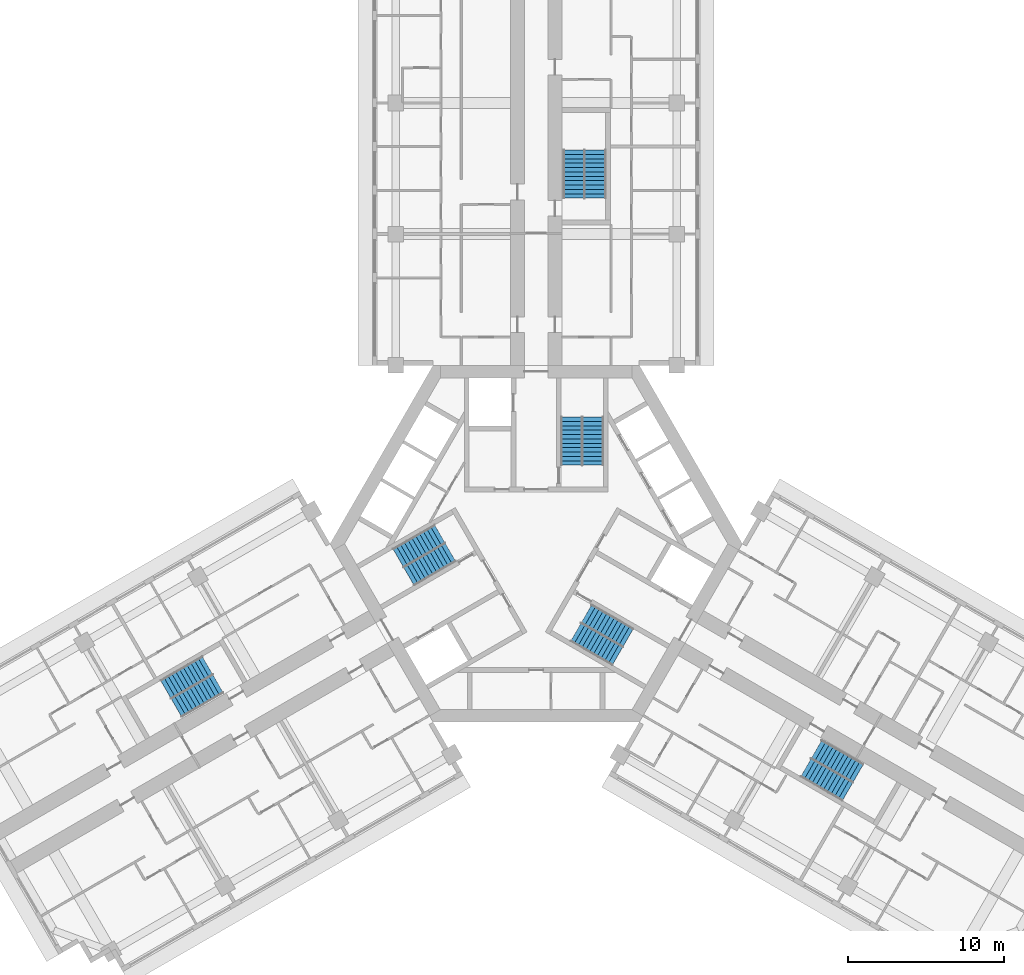
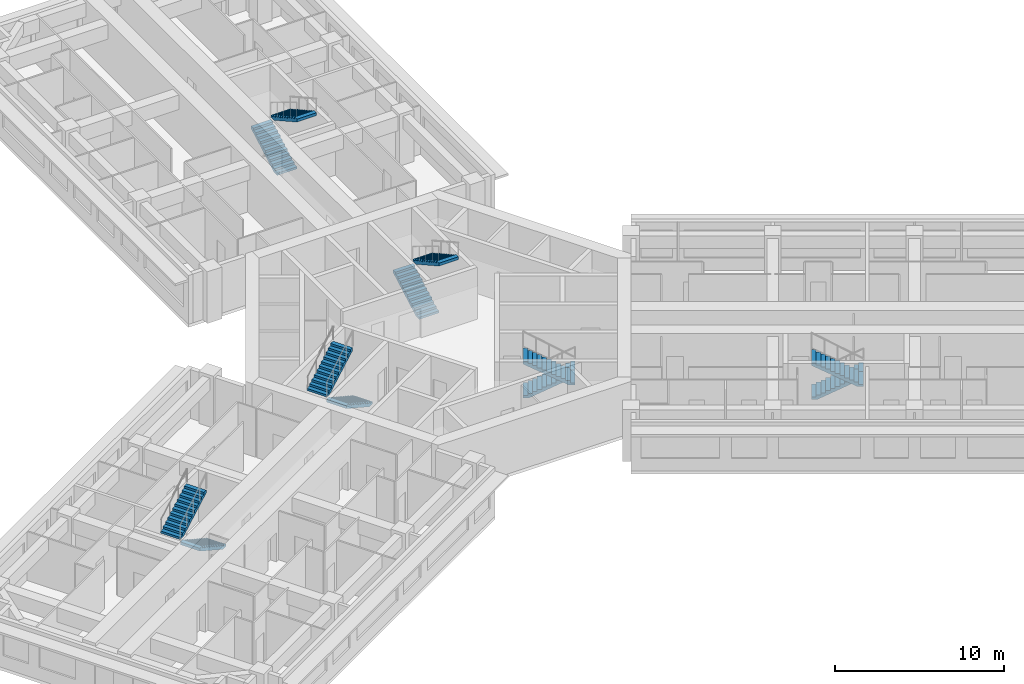
# One storey, part 11 of 12: 12 stair flights, 6 elements without a shape of their own.
"""IFC4 building model written with IfcOpenShell, lengths in metres."""

from ifc_helpers import new_model, si_unit, direction, frame, origin, place, context, subcontext, project, spatial, polyline, outline, extrude, material, type_object, element, aggregate, save


model = new_model("IFC4")

# Units and contexts
model_context = context("Model", 3, precision=1e-05, world=origin(), true_north=direction((0.0, 1.0)))
body_context = subcontext(model_context, "Body", "Model", "MODEL_VIEW")
ifc_project = project(units=[si_unit("LENGTHUNIT", "METRE"), si_unit("AREAUNIT", "SQUARE_METRE"), si_unit("VOLUMEUNIT", "CUBIC_METRE"), si_unit("PLANEANGLEUNIT", "RADIAN"), si_unit("MASSUNIT", "GRAM", prefix="KILO")], contexts=[model_context])

# Site, building, storey
site_placement = place(None, origin())
site = spatial("IfcSite", under=ifc_project, at=site_placement, CompositionType="ELEMENT")
building_placement = place(site_placement, origin())
building = spatial("IfcBuilding", under=site, at=building_placement, Name="Impinga Residences", CompositionType="ELEMENT")
storey_placement = place(building_placement, frame((0.0, 0.0, 173.5)))
storey = spatial("IfcBuildingStorey", under=building, at=storey_placement, Name="L43", CompositionType="ELEMENT", Elevation=173.5)

# Stair, stair flights
ifc_material = material(Name="Concrete C40/50", Category="concrete")
stair_type_1 = type_object("IfcStairType", Name="STR core stair 3750 storey, 24 risers", PredefinedType="HALF_TURN_STAIR", material=ifc_material)
stair_1_placement = place(storey_placement, origin())
stair_1 = element("IfcStair", 1, at=stair_1_placement, inside=storey, type_object=stair_type_1, Name="Stair ST1 L43", PredefinedType="HALF_TURN_STAIR")
stair_flight_type = type_object("IfcStairFlightType", Name="SF 12 risers of 156", PredefinedType="STRAIGHT", material=ifc_material)
stair_flight_1_placement = place(storey_placement, frame((2.27490234375, 5.030029296875, 0.0), z_axis=(0.0, 0.0, 1.0), x_axis=(0.0, 1.0, 0.0)))
stair_flight_1 = element("IfcStairFlight", 2, at=stair_flight_1_placement, type_object=stair_flight_type, Name="ST1 flight 1", NumberOfRisers=12, NumberOfTreads=11, PredefinedType="STRAIGHT", RiserHeight=0.15625, TreadLength=0.28, context=body_context, shape_type="SweptSolid", body=[
    extrude(outline(polyline([(0.0, 0.0), (0.0, 0.15625), (0.280029296875, 0.15625), (0.280029296875, 0.3125), (0.56005859375, 0.3125), (0.56005859375, 0.46875), (0.840087890625, 0.46875), (0.840087890625, 0.625), (1.1201171875, 0.625), (1.1201171875, 0.78125), (1.39990234375, 0.78125), (1.39990234375, 0.9375), (1.679931640625, 0.9375), (1.679931640625, 1.09375), (1.9599609375, 1.09375), (1.9599609375, 1.25), (2.239990234375, 1.25), (2.239990234375, 1.40625), (2.52001953125, 1.40625), (2.52001953125, 1.5625), (2.800048828125, 1.5625), (2.800048828125, 1.71875), (3.080078125, 1.71875), (3.080078125, 1.875), (3.080078125, 1.5126953125), (0.369140625, 0.0), (0.0, 0.0)])), frame((0.0, 0.675048828125, 0.0), z_axis=(0.0, -1.0, 0.0), x_axis=(1.0, 0.0, 0.0)), (0.0, 0.0, 1.0), 1.35009765625),
])
stair_flight_2_placement = place(storey_placement, frame((3.625, 8.110107421875, 1.875), z_axis=(0.0, 0.0, 1.0), x_axis=(0.0, -1.0, 0.0)))
stair_flight_2 = element("IfcStairFlight", 3, at=stair_flight_2_placement, type_object=stair_flight_type, Name="ST1 flight 2", NumberOfRisers=12, NumberOfTreads=11, PredefinedType="STRAIGHT", RiserHeight=0.15625, TreadLength=0.28, context=body_context, shape_type="SweptSolid", body=[
    extrude(outline(polyline([(0.0, 0.0), (0.0, 0.15625), (0.280029296875, 0.15625), (0.280029296875, 0.3125), (0.56005859375, 0.3125), (0.56005859375, 0.46875), (0.840087890625, 0.46875), (0.840087890625, 0.625), (1.1201171875, 0.625), (1.1201171875, 0.78125), (1.39990234375, 0.78125), (1.39990234375, 0.9375), (1.679931640625, 0.9375), (1.679931640625, 1.09375), (1.9599609375, 1.09375), (1.9599609375, 1.25), (2.239990234375, 1.25), (2.239990234375, 1.40625), (2.52001953125, 1.40625), (2.52001953125, 1.5625), (2.800048828125, 1.5625), (2.800048828125, 1.71875), (3.080078125, 1.71875), (3.080078125, 1.875), (3.080078125, 1.5126953125), (0.369140625, 0.0), (0.0, 0.0)])), frame((0.0, 0.675048828125, 0.0), z_axis=(0.0, -1.0, 0.0), x_axis=(1.0, 0.0, 0.0)), (0.0, 0.0, 1.0), 1.35009765625),
])
aggregate(stair_1, [stair_flight_1, stair_flight_2])

stair_2_placement = place(storey_placement, origin())
stair_2 = element("IfcStair", 4, at=stair_2_placement, inside=storey, type_object=stair_type_1, Name="Stair ST2 L43", PredefinedType="HALF_TURN_STAIR")
stair_flight_3_placement = place(storey_placement, frame((-5.49365234375, -0.544677734375, 0.0), z_axis=(0.0, 0.0, 1.0), x_axis=(-0.866025403784, -0.5, 0.0)))
stair_flight_3 = element("IfcStairFlight", 5, at=stair_flight_3_placement, type_object=stair_flight_type, Name="ST2 flight 1", NumberOfRisers=12, NumberOfTreads=11, PredefinedType="STRAIGHT", RiserHeight=0.15625, TreadLength=0.28, context=body_context, shape_type="SweptSolid", body=[
    extrude(outline(polyline([(0.0, 0.0), (0.0, 0.15625), (0.280029296875, 0.15625), (0.280029296875, 0.3125), (0.56005859375, 0.3125), (0.56005859375, 0.46875), (0.840087890625, 0.46875), (0.840087890625, 0.625), (1.1201171875, 0.625), (1.1201171875, 0.78125), (1.39990234375, 0.78125), (1.39990234375, 0.9375), (1.679931640625, 0.9375), (1.679931640625, 1.09375), (1.9599609375, 1.09375), (1.9599609375, 1.25), (2.239990234375, 1.25), (2.239990234375, 1.40625), (2.52001953125, 1.40625), (2.52001953125, 1.5625), (2.800048828125, 1.5625), (2.800048828125, 1.71875), (3.080078125, 1.71875), (3.080078125, 1.875), (3.080078125, 1.5126953125), (0.369140625, 0.0), (0.0, 0.0)])), frame((0.0, 0.675048828125, 0.0), z_axis=(0.0, -1.0, 0.0), x_axis=(1.0, 0.0, 0.0)), (0.0, 0.0, 1.0), 1.35009765625),
])
stair_flight_4_placement = place(storey_placement, frame((-8.8359375, -0.915771484375, 1.875), z_axis=(0.0, 0.0, 1.0), x_axis=(0.866025403784, 0.5, 0.0)))
stair_flight_4 = element("IfcStairFlight", 6, at=stair_flight_4_placement, type_object=stair_flight_type, Name="ST2 flight 2", NumberOfRisers=12, NumberOfTreads=11, PredefinedType="STRAIGHT", RiserHeight=0.15625, TreadLength=0.28, context=body_context, shape_type="SweptSolid", body=[
    extrude(outline(polyline([(0.0, 0.0), (0.0, 0.15625), (0.280029296875, 0.15625), (0.280029296875, 0.3125), (0.56005859375, 0.3125), (0.56005859375, 0.46875), (0.840087890625, 0.46875), (0.840087890625, 0.625), (1.1201171875, 0.625), (1.1201171875, 0.78125), (1.39990234375, 0.78125), (1.39990234375, 0.9375), (1.679931640625, 0.9375), (1.679931640625, 1.09375), (1.9599609375, 1.09375), (1.9599609375, 1.25), (2.239990234375, 1.25), (2.239990234375, 1.40625), (2.52001953125, 1.40625), (2.52001953125, 1.5625), (2.800048828125, 1.5625), (2.800048828125, 1.71875), (3.080078125, 1.71875), (3.080078125, 1.875), (3.080078125, 1.5126953125), (0.369140625, 0.0), (0.0, 0.0)])), frame((0.0, 0.675048828125, 0.0), z_axis=(0.0, -1.0, 0.0), x_axis=(1.0, 0.0, 0.0)), (0.0, 0.0, 1.0), 1.35009765625),
])
aggregate(stair_2, [stair_flight_3, stair_flight_4])

stair_3_placement = place(storey_placement, origin())
stair_3 = element("IfcStair", 7, at=stair_3_placement, inside=storey, type_object=stair_type_1, Name="Stair ST3 L43", PredefinedType="HALF_TURN_STAIR")
stair_flight_5_placement = place(storey_placement, frame((3.218505859375, -4.485107421875, 0.0), z_axis=(0.0, 0.0, 1.0), x_axis=(0.866025403784, -0.5, 0.0)))
stair_flight_5 = element("IfcStairFlight", 8, at=stair_flight_5_placement, type_object=stair_flight_type, Name="ST3 flight 1", NumberOfRisers=12, NumberOfTreads=11, PredefinedType="STRAIGHT", RiserHeight=0.15625, TreadLength=0.28, context=body_context, shape_type="SweptSolid", body=[
    extrude(outline(polyline([(0.0, 0.0), (0.0, 0.15625), (0.280029296875, 0.15625), (0.280029296875, 0.3125), (0.56005859375, 0.3125), (0.56005859375, 0.46875), (0.840087890625, 0.46875), (0.840087890625, 0.625), (1.1201171875, 0.625), (1.1201171875, 0.78125), (1.39990234375, 0.78125), (1.39990234375, 0.9375), (1.679931640625, 0.9375), (1.679931640625, 1.09375), (1.9599609375, 1.09375), (1.9599609375, 1.25), (2.239990234375, 1.25), (2.239990234375, 1.40625), (2.52001953125, 1.40625), (2.52001953125, 1.5625), (2.800048828125, 1.5625), (2.800048828125, 1.71875), (3.080078125, 1.71875), (3.080078125, 1.875), (3.080078125, 1.5126953125), (0.369140625, 0.0), (0.0, 0.0)])), frame((0.0, 0.675048828125, 0.0), z_axis=(0.0, -1.0, 0.0), x_axis=(1.0, 0.0, 0.0)), (0.0, 0.0, 1.0), 1.35009765625),
])
stair_flight_6_placement = place(storey_placement, frame((5.2109375, -7.1943359375, 1.875), z_axis=(0.0, 0.0, 1.0), x_axis=(-0.866025403784, 0.5, 0.0)))
stair_flight_6 = element("IfcStairFlight", 9, at=stair_flight_6_placement, type_object=stair_flight_type, Name="ST3 flight 2", NumberOfRisers=12, NumberOfTreads=11, PredefinedType="STRAIGHT", RiserHeight=0.15625, TreadLength=0.28, context=body_context, shape_type="SweptSolid", body=[
    extrude(outline(polyline([(0.0, 0.0), (0.0, 0.15625), (0.280029296875, 0.15625), (0.280029296875, 0.3125), (0.56005859375, 0.3125), (0.56005859375, 0.46875), (0.840087890625, 0.46875), (0.840087890625, 0.625), (1.1201171875, 0.625), (1.1201171875, 0.78125), (1.39990234375, 0.78125), (1.39990234375, 0.9375), (1.679931640625, 0.9375), (1.679931640625, 1.09375), (1.9599609375, 1.09375), (1.9599609375, 1.25), (2.239990234375, 1.25), (2.239990234375, 1.40625), (2.52001953125, 1.40625), (2.52001953125, 1.5625), (2.800048828125, 1.5625), (2.800048828125, 1.71875), (3.080078125, 1.71875), (3.080078125, 1.875), (3.080078125, 1.5126953125), (0.369140625, 0.0), (0.0, 0.0)])), frame((0.0, 0.675048828125, 0.0), z_axis=(0.0, -1.0, 0.0), x_axis=(1.0, 0.0, 0.0)), (0.0, 0.0, 1.0), 1.35009765625),
])
aggregate(stair_3, [stair_flight_5, stair_flight_6])

stair_type_2 = type_object("IfcStairType", Name="STR wing stair 3750 storey, 24 risers", PredefinedType="HALF_TURN_STAIR", material=ifc_material)
stair_4_placement = place(storey_placement, origin())
stair_4 = element("IfcStair", 10, at=stair_4_placement, inside=storey, type_object=stair_type_2, Name="Stair WS1 L43", PredefinedType="HALF_TURN_STAIR")
stair_flight_7_placement = place(storey_placement, frame((2.425048828125, 22.131591796875, 0.0), z_axis=(0.0, 0.0, 1.0), x_axis=(0.0, 1.0, 0.0)))
stair_flight_7 = element("IfcStairFlight", 11, at=stair_flight_7_placement, type_object=stair_flight_type, Name="WS1 flight 1", NumberOfRisers=12, NumberOfTreads=11, PredefinedType="STRAIGHT", RiserHeight=0.15625, TreadLength=0.28, context=body_context, shape_type="SweptSolid", body=[
    extrude(outline(polyline([(0.0, 0.0), (0.0, 0.15625), (0.280029296875, 0.15625), (0.280029296875, 0.3125), (0.56005859375, 0.3125), (0.56005859375, 0.46875), (0.840087890625, 0.46875), (0.840087890625, 0.625), (1.1201171875, 0.625), (1.1201171875, 0.78125), (1.39990234375, 0.78125), (1.39990234375, 0.9375), (1.679931640625, 0.9375), (1.679931640625, 1.09375), (1.9599609375, 1.09375), (1.9599609375, 1.25), (2.239990234375, 1.25), (2.239990234375, 1.40625), (2.52001953125, 1.40625), (2.52001953125, 1.5625), (2.800048828125, 1.5625), (2.800048828125, 1.71875), (3.080078125, 1.71875), (3.080078125, 1.875), (3.080078125, 1.5126953125), (0.369140625, 0.0), (0.0, 0.0)])), frame((0.0, 0.675048828125, 0.0), z_axis=(0.0, -1.0, 0.0), x_axis=(1.0, 0.0, 0.0)), (0.0, 0.0, 1.0), 1.35009765625),
])
stair_flight_8_placement = place(storey_placement, frame((3.77490234375, 25.21142578125, 1.875), z_axis=(0.0, 0.0, 1.0), x_axis=(0.0, -1.0, 0.0)))
stair_flight_8 = element("IfcStairFlight", 12, at=stair_flight_8_placement, type_object=stair_flight_type, Name="WS1 flight 2", NumberOfRisers=12, NumberOfTreads=11, PredefinedType="STRAIGHT", RiserHeight=0.15625, TreadLength=0.28, context=body_context, shape_type="SweptSolid", body=[
    extrude(outline(polyline([(0.0, 0.0), (0.0, 0.15625), (0.280029296875, 0.15625), (0.280029296875, 0.3125), (0.56005859375, 0.3125), (0.56005859375, 0.46875), (0.840087890625, 0.46875), (0.840087890625, 0.625), (1.1201171875, 0.625), (1.1201171875, 0.78125), (1.39990234375, 0.78125), (1.39990234375, 0.9375), (1.679931640625, 0.9375), (1.679931640625, 1.09375), (1.9599609375, 1.09375), (1.9599609375, 1.25), (2.239990234375, 1.25), (2.239990234375, 1.40625), (2.52001953125, 1.40625), (2.52001953125, 1.5625), (2.800048828125, 1.5625), (2.800048828125, 1.71875), (3.080078125, 1.71875), (3.080078125, 1.875), (3.080078125, 1.5126953125), (0.369140625, 0.0), (0.0, 0.0)])), frame((0.0, 0.675048828125, 0.0), z_axis=(0.0, -1.0, 0.0), x_axis=(1.0, 0.0, 0.0)), (0.0, 0.0, 1.0), 1.35009765625),
])
aggregate(stair_4, [stair_flight_7, stair_flight_8])

stair_5_placement = place(storey_placement, origin())
stair_5 = element("IfcStair", 13, at=stair_5_placement, inside=storey, type_object=stair_type_2, Name="Stair WS2 L43", PredefinedType="HALF_TURN_STAIR")
stair_flight_9_placement = place(storey_placement, frame((-20.37890625, -8.965576171875, 0.0), z_axis=(0.0, 0.0, 1.0), x_axis=(-0.866025403784, -0.5, 0.0)))
stair_flight_9 = element("IfcStairFlight", 14, at=stair_flight_9_placement, type_object=stair_flight_type, Name="WS2 flight 1", NumberOfRisers=12, NumberOfTreads=11, PredefinedType="STRAIGHT", RiserHeight=0.15625, TreadLength=0.28, context=body_context, shape_type="SweptSolid", body=[
    extrude(outline(polyline([(0.0, 0.0), (0.0, 0.15625), (0.280029296875, 0.15625), (0.280029296875, 0.3125), (0.56005859375, 0.3125), (0.56005859375, 0.46875), (0.840087890625, 0.46875), (0.840087890625, 0.625), (1.1201171875, 0.625), (1.1201171875, 0.78125), (1.39990234375, 0.78125), (1.39990234375, 0.9375), (1.679931640625, 0.9375), (1.679931640625, 1.09375), (1.9599609375, 1.09375), (1.9599609375, 1.25), (2.239990234375, 1.25), (2.239990234375, 1.40625), (2.52001953125, 1.40625), (2.52001953125, 1.5625), (2.800048828125, 1.5625), (2.800048828125, 1.71875), (3.080078125, 1.71875), (3.080078125, 1.875), (3.080078125, 1.5126953125), (0.369140625, 0.0), (0.0, 0.0)])), frame((0.0, 0.675048828125, 0.0), z_axis=(0.0, -1.0, 0.0), x_axis=(1.0, 0.0, 0.0)), (0.0, 0.0, 1.0), 1.35009765625),
])
stair_flight_10_placement = place(storey_placement, frame((-23.721435546875, -9.33642578125, 1.875), z_axis=(0.0, 0.0, 1.0), x_axis=(0.866025403784, 0.5, 0.0)))
stair_flight_10 = element("IfcStairFlight", 15, at=stair_flight_10_placement, type_object=stair_flight_type, Name="WS2 flight 2", NumberOfRisers=12, NumberOfTreads=11, PredefinedType="STRAIGHT", RiserHeight=0.15625, TreadLength=0.28, context=body_context, shape_type="SweptSolid", body=[
    extrude(outline(polyline([(0.0, 0.0), (0.0, 0.15625), (0.280029296875, 0.15625), (0.280029296875, 0.3125), (0.56005859375, 0.3125), (0.56005859375, 0.46875), (0.840087890625, 0.46875), (0.840087890625, 0.625), (1.1201171875, 0.625), (1.1201171875, 0.78125), (1.39990234375, 0.78125), (1.39990234375, 0.9375), (1.679931640625, 0.9375), (1.679931640625, 1.09375), (1.9599609375, 1.09375), (1.9599609375, 1.25), (2.239990234375, 1.25), (2.239990234375, 1.40625), (2.52001953125, 1.40625), (2.52001953125, 1.5625), (2.800048828125, 1.5625), (2.800048828125, 1.71875), (3.080078125, 1.71875), (3.080078125, 1.875), (3.080078125, 1.5126953125), (0.369140625, 0.0), (0.0, 0.0)])), frame((0.0, 0.675048828125, 0.0), z_axis=(0.0, -1.0, 0.0), x_axis=(1.0, 0.0, 0.0)), (0.0, 0.0, 1.0), 1.35009765625),
])
aggregate(stair_5, [stair_flight_9, stair_flight_10])

stair_6_placement = place(storey_placement, origin())
stair_6 = element("IfcStair", 16, at=stair_6_placement, inside=storey, type_object=stair_type_2, Name="Stair WS3 L43", PredefinedType="HALF_TURN_STAIR")
stair_flight_11_placement = place(storey_placement, frame((17.953857421875, -13.165771484375, 0.0), z_axis=(0.0, 0.0, 1.0), x_axis=(0.866025403784, -0.5, 0.0)))
stair_flight_11 = element("IfcStairFlight", 17, at=stair_flight_11_placement, type_object=stair_flight_type, Name="WS3 flight 1", NumberOfRisers=12, NumberOfTreads=11, PredefinedType="STRAIGHT", RiserHeight=0.15625, TreadLength=0.28, context=body_context, shape_type="SweptSolid", body=[
    extrude(outline(polyline([(0.0, 0.0), (0.0, 0.15625), (0.280029296875, 0.15625), (0.280029296875, 0.3125), (0.56005859375, 0.3125), (0.56005859375, 0.46875), (0.840087890625, 0.46875), (0.840087890625, 0.625), (1.1201171875, 0.625), (1.1201171875, 0.78125), (1.39990234375, 0.78125), (1.39990234375, 0.9375), (1.679931640625, 0.9375), (1.679931640625, 1.09375), (1.9599609375, 1.09375), (1.9599609375, 1.25), (2.239990234375, 1.25), (2.239990234375, 1.40625), (2.52001953125, 1.40625), (2.52001953125, 1.5625), (2.800048828125, 1.5625), (2.800048828125, 1.71875), (3.080078125, 1.71875), (3.080078125, 1.875), (3.080078125, 1.5126953125), (0.369140625, 0.0), (0.0, 0.0)])), frame((0.0, 0.675048828125, 0.0), z_axis=(0.0, -1.0, 0.0), x_axis=(1.0, 0.0, 0.0)), (0.0, 0.0, 1.0), 1.35009765625),
])
stair_flight_12_placement = place(storey_placement, frame((19.9462890625, -15.875, 1.875), z_axis=(0.0, 0.0, 1.0), x_axis=(-0.866025403784, 0.5, 0.0)))
stair_flight_12 = element("IfcStairFlight", 18, at=stair_flight_12_placement, type_object=stair_flight_type, Name="WS3 flight 2", NumberOfRisers=12, NumberOfTreads=11, PredefinedType="STRAIGHT", RiserHeight=0.15625, TreadLength=0.28, context=body_context, shape_type="SweptSolid", body=[
    extrude(outline(polyline([(0.0, 0.0), (0.0, 0.15625), (0.280029296875, 0.15625), (0.280029296875, 0.3125), (0.56005859375, 0.3125), (0.56005859375, 0.46875), (0.840087890625, 0.46875), (0.840087890625, 0.625), (1.1201171875, 0.625), (1.1201171875, 0.78125), (1.39990234375, 0.78125), (1.39990234375, 0.9375), (1.679931640625, 0.9375), (1.679931640625, 1.09375), (1.9599609375, 1.09375), (1.9599609375, 1.25), (2.239990234375, 1.25), (2.239990234375, 1.40625), (2.52001953125, 1.40625), (2.52001953125, 1.5625), (2.800048828125, 1.5625), (2.800048828125, 1.71875), (3.080078125, 1.71875), (3.080078125, 1.875), (3.080078125, 1.5126953125), (0.369140625, 0.0), (0.0, 0.0)])), frame((0.0, 0.675048828125, 0.0), z_axis=(0.0, -1.0, 0.0), x_axis=(1.0, 0.0, 0.0)), (0.0, 0.0, 1.0), 1.35009765625),
])
aggregate(stair_6, [stair_flight_11, stair_flight_12])

save(model, "model.ifc")
